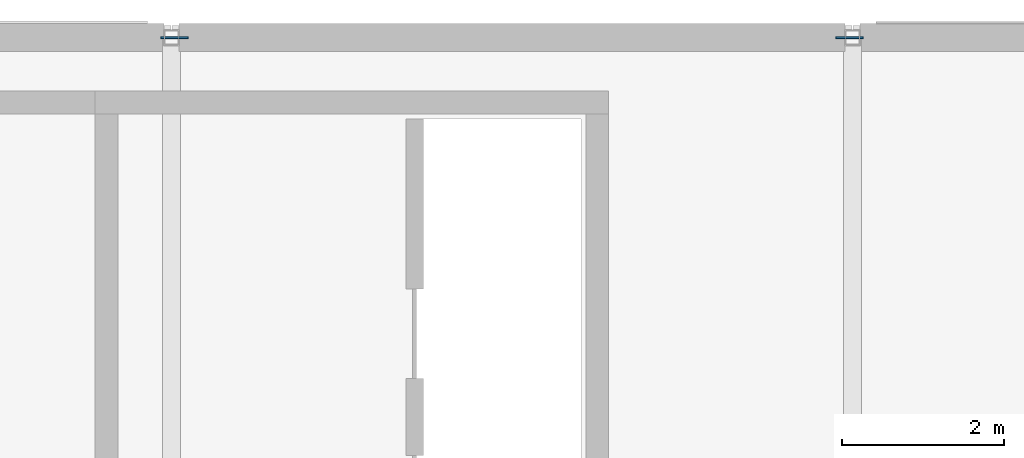
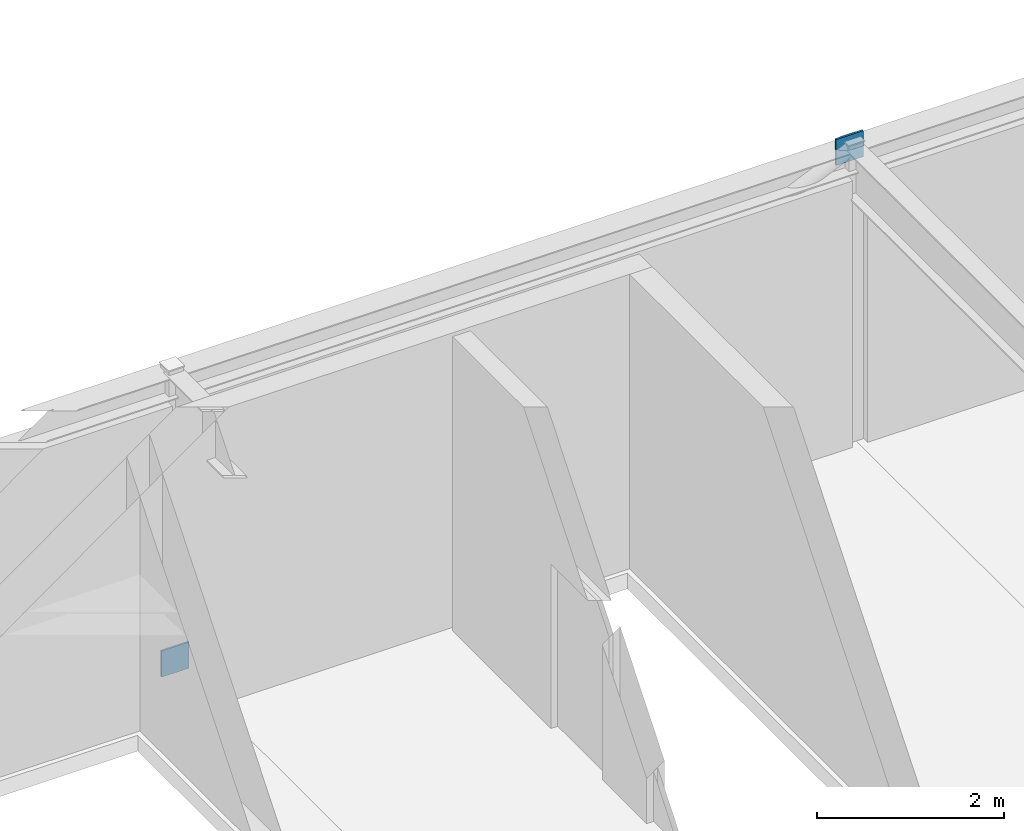
# One storey, part 24 of 26: 2 discrete accessories.
"""IFC4 building model written with IfcOpenShell, lengths in metres."""

from ifc_helpers import new_model, si_unit, direction, frame, origin, origin_2d, place, context, subcontext, project, spatial, rectangle, extrude, material, type_object, element, save


model = new_model("IFC4")

# Units and contexts
model_context = context("Model", 3, precision=1e-05, world=origin(), true_north=direction((0.0, 1.0)))
body_context = subcontext(model_context, "Body", "Model", "MODEL_VIEW")
ifc_project = project(units=[si_unit("LENGTHUNIT", "METRE"), si_unit("AREAUNIT", "SQUARE_METRE"), si_unit("VOLUMEUNIT", "CUBIC_METRE"), si_unit("PLANEANGLEUNIT", "RADIAN"), si_unit("MASSUNIT", "GRAM", prefix="KILO")], contexts=[model_context])

# Site, building, storey
site_placement = place(None, origin())
site = spatial("IfcSite", under=ifc_project, at=site_placement, CompositionType="ELEMENT")
building_placement = place(site_placement, origin())
building = spatial("IfcBuilding", under=site, at=building_placement, Name="Montecoro Central Library", CompositionType="ELEMENT")
storey_placement = place(building_placement, frame((0.0, 0.0, 21.419921875)))
storey = spatial("IfcBuildingStorey", under=building, at=storey_placement, Name="L05", CompositionType="ELEMENT", Elevation=21.419921875)

# Discrete accessories
ifc_material = material(Name="Steel S355", Category="steel")
discrete_accessory_type = type_object("IfcDiscreteAccessoryType", Name="GUSSET-PLT-01", PredefinedType="BRACKET", material=ifc_material)
for number, where, z_axis, x_axis, name in (
    (1, (83.236083984375, 119.0, -0.14404296875), (0.0, 0.0, 1.0), (1.0, 0.0, 0.0), "V2-L05-BRN1-GPA"),
    (2, (91.56396484375, 119.0, 3.619140625), (0.0, 0.0, 1.0), (1.0, 0.0, 0.0), "V2-L05-BRN1-GPB"),
):
    element("IfcDiscreteAccessory", number, at=place(storey_placement, frame(where, z_axis=z_axis, x_axis=x_axis)), inside=storey, type_object=discrete_accessory_type, Name=name, PredefinedType="BRACKET", context=body_context, shape_type="SweptSolid", body=[
        extrude(rectangle(XDim=0.340087890625, YDim=0.02392578125, at=origin_2d()), origin(), (0.0, 0.0, 1.0), 0.340087890625),
    ])

save(model, "model.ifc")
